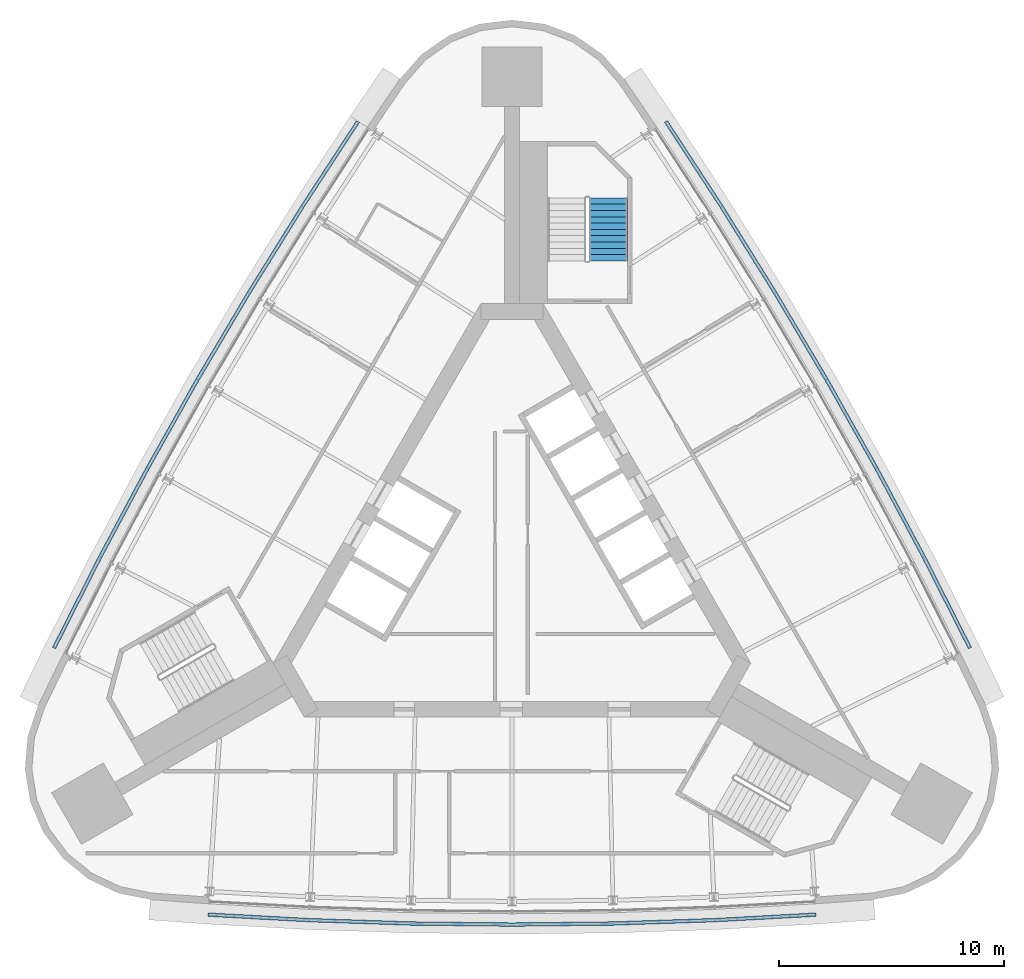
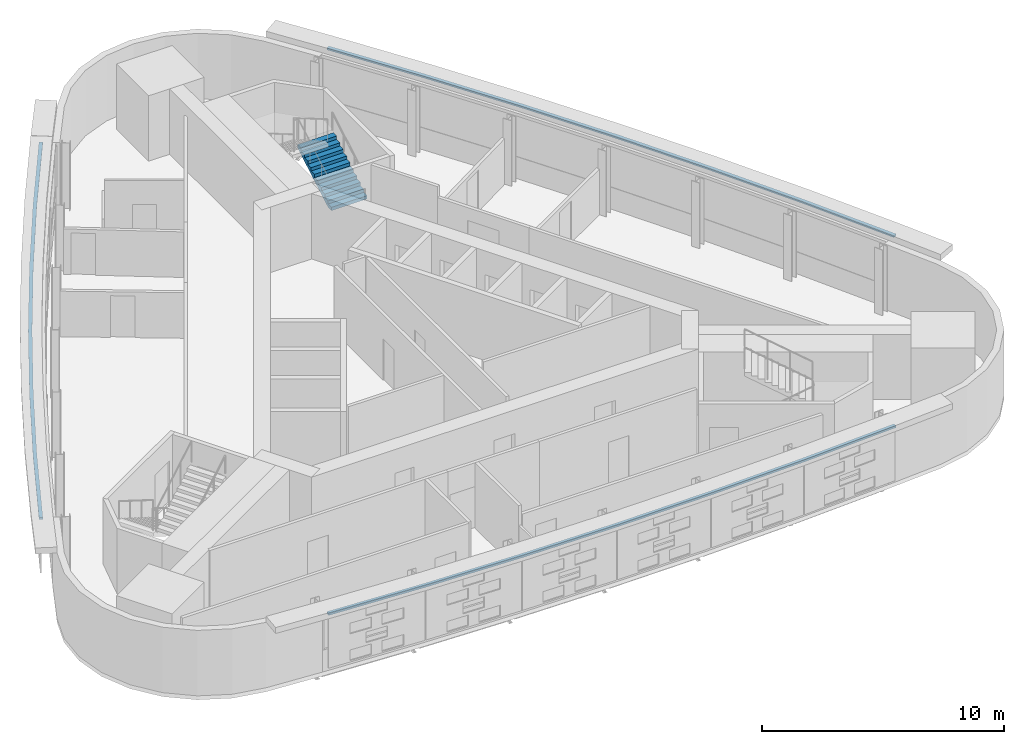
# One storey, part 9 of 11: 3 discrete accessories, 1 stair flight, 1 element without a shape of its own.
"""IFC4 building model written with IfcOpenShell, lengths in metres."""

from ifc_helpers import new_model, si_unit, direction, frame, origin, place, context, subcontext, project, spatial, polyline, outline, extrude, material, type_object, element, aggregate, save


model = new_model("IFC4")

# Units and contexts
model_context = context("Model", 3, precision=1e-05, world=origin(), true_north=direction((0.0, 1.0)))
body_context = subcontext(model_context, "Body", "Model", "MODEL_VIEW")
ifc_project = project(units=[si_unit("LENGTHUNIT", "METRE"), si_unit("AREAUNIT", "SQUARE_METRE"), si_unit("VOLUMEUNIT", "CUBIC_METRE"), si_unit("PLANEANGLEUNIT", "RADIAN"), si_unit("MASSUNIT", "GRAM", prefix="KILO")], contexts=[model_context])

# Site, building, storey
site_placement = place(None, origin())
site = spatial("IfcSite", under=ifc_project, at=site_placement, CompositionType="ELEMENT")
building_placement = place(site_placement, origin())
building = spatial("IfcBuilding", under=site, at=building_placement, Name="Noor Cloister Tower", CompositionType="ELEMENT")
storey_placement = place(building_placement, frame((0.0, 0.0, 206.699951171875)))
storey = spatial("IfcBuildingStorey", under=building, at=storey_placement, Name="L53", CompositionType="ELEMENT", Elevation=206.699951171875)

# Stair, stair flight
ifc_material_1 = material(Name="Concrete C40/50", Category="concrete")
stair_type = type_object("IfcStairType", Name="Exit stair 22 risers", PredefinedType="HALF_TURN_STAIR", material=ifc_material_1)
stair_placement = place(storey_placement, origin())
stair = element("IfcStair", 1, at=stair_placement, inside=storey, type_object=stair_type, Name="Exit stair ST1 L53", PredefinedType="HALF_TURN_STAIR")
ifc_material_2 = material(Name="Concrete C40/50", Category="concrete")
stair_flight_type = type_object("IfcStairFlightType", Name="Exit stair flight", PredefinedType="STRAIGHT", material=ifc_material_2)
stair_flight_placement = place(storey_placement, frame((4.28564453125, 13.3564453125, 0.0), z_axis=(0.0, 0.0, 1.0), x_axis=(0.0, 1.0, 0.0)))
stair_flight = element("IfcStairFlight", 2, at=stair_flight_placement, type_object=stair_flight_type, Name="ST1 flight 1", NumberOfRisers=11, NumberOfTreads=10, PredefinedType="STRAIGHT", RiserHeight=0.163636364, TreadLength=0.28, context=body_context, shape_type="SweptSolid", body=[
    extrude(outline(polyline([(0.0, 0.0), (0.0, 0.16357421875), (0.280029296875, 0.16357421875), (0.280029296875, 0.327392578125), (0.56005859375, 0.327392578125), (0.56005859375, 0.490966796875), (0.840087890625, 0.490966796875), (0.840087890625, 0.654541015625), (1.1201171875, 0.654541015625), (1.1201171875, 0.818115234375), (1.39990234375, 0.818115234375), (1.39990234375, 0.98193359375), (1.679931640625, 0.98193359375), (1.679931640625, 1.1455078125), (1.9599609375, 1.1455078125), (1.9599609375, 1.30908203125), (2.239990234375, 1.30908203125), (2.239990234375, 1.47265625), (2.52001953125, 1.47265625), (2.52001953125, 1.636474609375), (2.800048828125, 1.636474609375), (2.800048828125, 1.800048828125), (2.800048828125, 1.462646484375), (0.297119140625, 0.0), (0.0, 0.0)])), frame((0.0, 0.85009765625, 0.0), z_axis=(0.0, -1.0, 0.0), x_axis=(1.0, 0.0, 0.0)), (0.0, 0.0, 1.0), 1.699951171875),
])
aggregate(stair, [stair_flight])

# Discrete accessories
ifc_material_3 = material(Name="Stainless steel grade 316", Category="steel")
discrete_accessory_type = type_object("IfcDiscreteAccessoryType", Name="Stainless hanger rail", PredefinedType="BRACKET", material=ifc_material_3)
discrete_accessory_1_placement = place(storey_placement, frame((0.0, 0.0, 3.199951171875)))
element("IfcDiscreteAccessory", 3, at=discrete_accessory_1_placement, inside=storey, type_object=discrete_accessory_type, Name="Hanger rail L53", PredefinedType="BRACKET", context=body_context, shape_type="SweptSolid", body=[
    extrude(outline(polyline([(-6.907958984375, 19.600830078125), (-9.37109375, 15.82763671875), (-11.754150390625, 11.99609375), (-14.052978515625, 8.113525390625), (-16.26611328125, 4.181396484375), (-18.392578125, 0.20166015625), (-20.4287109375, -3.818115234375), (-20.2861328125, -3.890380859375), (-18.250732421875, 0.1279296875), (-16.125732421875, 4.1044921875), (-13.914306640625, 8.033447265625), (-11.617431640625, 11.9130859375), (-9.236083984375, 15.74169921875), (-6.77392578125, 19.513427734375), (-6.907958984375, 19.600830078125)])), origin(), (0.0, 0.0, 1.0), 0.10009765625),
])
discrete_accessory_2_placement = place(storey_placement, frame((0.0, 0.0, 3.199951171875)))
element("IfcDiscreteAccessory", 4, at=discrete_accessory_2_placement, inside=storey, type_object=discrete_accessory_type, Name="Hanger rail L53", PredefinedType="BRACKET", context=body_context, shape_type="SweptSolid", body=[
    extrude(outline(polyline([(-13.52099609375, -15.782958984375), (-9.021728515625, -16.029296875), (-4.511962890625, -16.177490234375), (0.0, -16.226806640625), (4.511962890625, -16.177490234375), (9.021728515625, -16.029296875), (13.52099609375, -15.782958984375), (13.51220703125, -15.623046875), (9.0146484375, -15.869384765625), (4.50830078125, -16.017578125), (0.0, -16.06689453125), (-4.50830078125, -16.017578125), (-9.0146484375, -15.869384765625), (-13.51220703125, -15.623046875), (-13.52099609375, -15.782958984375)])), origin(), (0.0, 0.0, 1.0), 0.10009765625),
])
discrete_accessory_3_placement = place(storey_placement, frame((0.0, 0.0, 3.199951171875)))
element("IfcDiscreteAccessory", 5, at=discrete_accessory_3_placement, inside=storey, type_object=discrete_accessory_type, Name="Hanger rail L53", PredefinedType="BRACKET", context=body_context, shape_type="SweptSolid", body=[
    extrude(outline(polyline([(20.4287109375, -3.818115234375), (18.392578125, 0.20166015625), (16.26611328125, 4.181396484375), (14.052978515625, 8.113525390625), (11.754150390625, 11.99609375), (9.37109375, 15.82763671875), (6.907958984375, 19.600830078125), (6.77392578125, 19.513427734375), (9.236083984375, 15.74169921875), (11.617431640625, 11.9130859375), (13.914306640625, 8.033447265625), (16.125732421875, 4.1044921875), (18.250732421875, 0.1279296875), (20.2861328125, -3.890380859375), (20.4287109375, -3.818115234375)])), origin(), (0.0, 0.0, 1.0), 0.10009765625),
])

save(model, "model.ifc")
